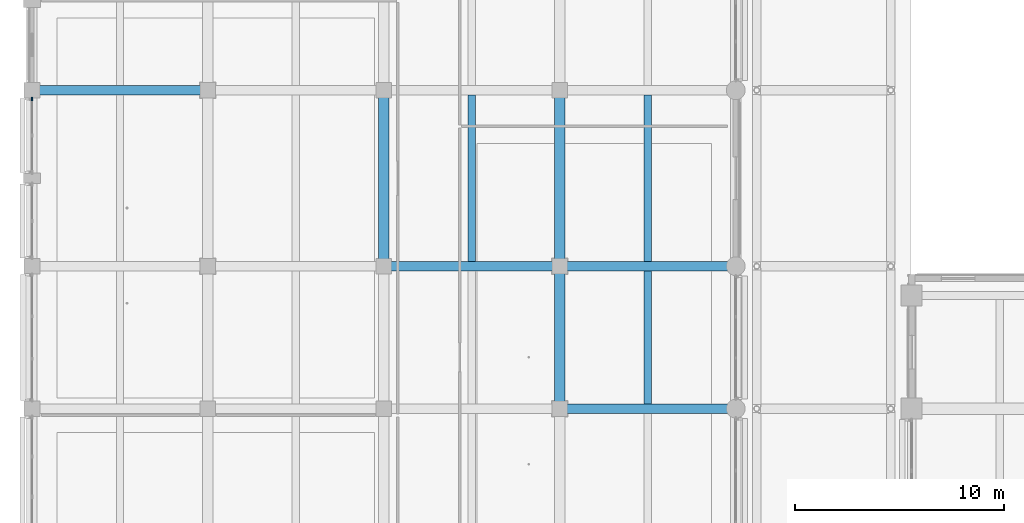
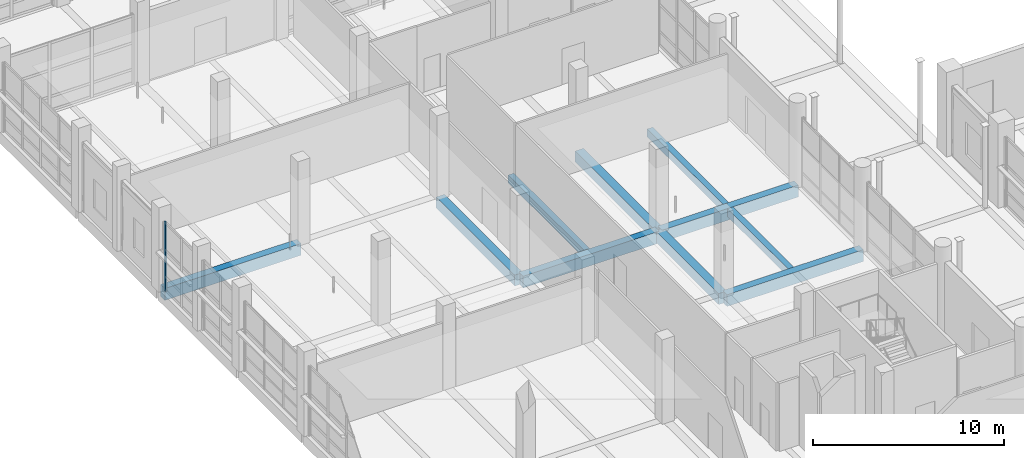
# One storey, part 24 of 140: 10 beams, 1 member, 1 element without a shape of its own.
"""IFC4 building model written with IfcOpenShell, lengths in metres."""

from ifc_helpers import new_model, si_unit, direction, frame, origin, origin_2d, place, context, subcontext, project, spatial, rectangle, extrude, material, layer, layer_set, material_profile, profile_set, type_object, element, aggregate, save


model = new_model("IFC4")

# Units and contexts
model_context = context("Model", 3, precision=1e-05, world=origin(), true_north=direction((0.0, 1.0)))
body_context = subcontext(model_context, "Body", "Model", "MODEL_VIEW")
ifc_project = project(units=[si_unit("LENGTHUNIT", "METRE"), si_unit("AREAUNIT", "SQUARE_METRE"), si_unit("VOLUMEUNIT", "CUBIC_METRE"), si_unit("PLANEANGLEUNIT", "RADIAN"), si_unit("MASSUNIT", "GRAM", prefix="KILO")], contexts=[model_context])

# Site, building, storey
site_placement = place(None, origin())
site = spatial("IfcSite", under=ifc_project, at=site_placement, CompositionType="ELEMENT")
building_placement = place(site_placement, origin())
building = spatial("IfcBuilding", under=site, at=building_placement, Name="Telukmera Botanical Conservatory", CompositionType="ELEMENT")
storey_placement = place(building_placement, origin())
storey = spatial("IfcBuildingStorey", under=building, at=storey_placement, Name="L00", CompositionType="ELEMENT", Elevation=0.0)

# Beams
ifc_material_1 = material(Name="Concrete C40/50", Category="concrete")
ifc_material_profile_1 = material_profile(ifc_material_1, rectangle(XDim=0.5, YDim=0.699951171875, at=origin_2d()), Name="RC 500x700")
ifc_profile_set_1 = profile_set([ifc_material_profile_1], Name="Concrete C40/50")
beam_type_1 = type_object("IfcBeamType", Name="Beam_B14", PredefinedType="BEAM", material=ifc_profile_set_1)
beam_1_placement = place(storey_placement, frame((25.199951171875, 49.679931640625, -0.35009765625), z_axis=(0.0, 1.0, 0.0), x_axis=(-1.0, 0.0, 0.0)))
element("IfcBeam", 1, at=beam_1_placement, inside=storey, type_object=beam_type_1, Name="Visitor Wing Transverse Beam L00", PredefinedType="BEAM", context=body_context, shape_type="SweptSolid", body=[
    extrude(rectangle(XDim=0.5, YDim=0.699951171875, at=origin_2d()), origin(), (0.0, 0.0, 1.0), 8.239990234375),
])
beam_2_placement = place(storey_placement, frame((33.60009765625, 42.8798828125, -0.35009765625), z_axis=(0.0, 1.0, 0.0), x_axis=(-1.0, 0.0, 0.0)))
element("IfcBeam", 2, at=beam_2_placement, inside=storey, type_object=beam_type_1, Name="Visitor Wing Transverse Beam L00", PredefinedType="BEAM", context=body_context, shape_type="SweptSolid", body=[
    extrude(rectangle(XDim=0.5, YDim=0.699951171875, at=origin_2d()), origin(), (0.0, 0.0, 1.0), 6.64013671875),
])
beam_3_placement = place(storey_placement, frame((33.60009765625, 49.679931640625, -0.35009765625), z_axis=(0.0, 1.0, 0.0), x_axis=(-1.0, 0.0, 0.0)))
element("IfcBeam", 3, at=beam_3_placement, inside=storey, type_object=beam_type_1, Name="Visitor Wing Transverse Beam L00", PredefinedType="BEAM", context=body_context, shape_type="SweptSolid", body=[
    extrude(rectangle(XDim=0.5, YDim=0.699951171875, at=origin_2d()), origin(), (0.0, 0.0, 1.0), 8.239990234375),
])
ifc_material_profile_2 = material_profile(ifc_material_1, rectangle(XDim=0.35009765625, YDim=0.5, at=origin_2d()), Name="RC 350x500")
ifc_profile_set_2 = profile_set([ifc_material_profile_2], Name="Concrete C40/50")
beam_type_2 = type_object("IfcBeamType", Name="Beam_B22", PredefinedType="JOIST", material=ifc_profile_set_2)
beam_4_placement = place(storey_placement, frame((29.39990234375, 49.824951171875, -0.25), z_axis=(0.0, 1.0, 0.0), x_axis=(-1.0, 0.0, 0.0)))
element("IfcBeam", 4, at=beam_4_placement, inside=storey, type_object=beam_type_2, Name="Visitor Wing Floor Joist L00", PredefinedType="JOIST", context=body_context, shape_type="SweptSolid", body=[
    extrude(rectangle(XDim=0.35009765625, YDim=0.5, at=origin_2d()), origin(), (0.0, 0.0, 1.0), 7.949951171875),
])
beam_5_placement = place(storey_placement, frame((37.800048828125, 43.02490234375, -0.25), z_axis=(0.0, 1.0, 0.0), x_axis=(-1.0, 0.0, 0.0)))
element("IfcBeam", 5, at=beam_5_placement, inside=storey, type_object=beam_type_2, Name="Visitor Wing Floor Joist L00", PredefinedType="JOIST", context=body_context, shape_type="SweptSolid", body=[
    extrude(rectangle(XDim=0.35009765625, YDim=0.5, at=origin_2d()), origin(), (0.0, 0.0, 1.0), 6.35009765625),
])
beam_6_placement = place(storey_placement, frame((37.800048828125, 49.824951171875, -0.25), z_axis=(0.0, 1.0, 0.0), x_axis=(-1.0, 0.0, 0.0)))
element("IfcBeam", 6, at=beam_6_placement, inside=storey, type_object=beam_type_2, Name="Visitor Wing Floor Joist L00", PredefinedType="JOIST", context=body_context, shape_type="SweptSolid", body=[
    extrude(rectangle(XDim=0.35009765625, YDim=0.5, at=origin_2d()), origin(), (0.0, 0.0, 1.0), 7.949951171875),
])
ifc_material_profile_3 = material_profile(ifc_material_1, rectangle(XDim=0.449951171875, YDim=0.75, at=origin_2d()), Name="RC 450x750")
ifc_profile_set_3 = profile_set([ifc_material_profile_3], Name="Concrete C40/50")
beam_type_3 = type_object("IfcBeamType", Name="Beam_B6", PredefinedType="BEAM", material=ifc_profile_set_3)
for number, where, z_axis, x_axis, name in (
    (7, (33.679931640625, 42.800048828125, -0.375), (1.0, 0.0, 0.0), (0.0, 1.0, 0.0), "Visitor Wing Grid Beam L00"),
    (8, (25.280029296875, 49.60009765625, -0.375), (1.0, 0.0, 0.0), (0.0, 1.0, 0.0), "Visitor Wing Grid Beam L00"),
    (9, (33.679931640625, 49.60009765625, -0.375), (1.0, 0.0, 0.0), (0.0, 1.0, 0.0), "Visitor Wing Grid Beam L00"),
    (10, (8.47998046875, 58.0, -0.375), (1.0, 0.0, 0.0), (0.0, 1.0, 0.0), "Visitor Wing Grid Beam L00"),
):
    element("IfcBeam", number, at=place(storey_placement, frame(where, z_axis=z_axis, x_axis=x_axis)), inside=storey, type_object=beam_type_3, Name=name, PredefinedType="BEAM", context=body_context, shape_type="SweptSolid", body=[
        extrude(rectangle(XDim=0.449951171875, YDim=0.75, at=origin_2d()), origin(), (0.0, 0.0, 1.0), 8.239990234375),
    ])

# Curtain wall, member
ifc_material_2 = material(Name="Anodised aluminium 6063-T6", Category="aluminium")
ifc_layer = layer(ifc_material_2, 0.179931640625)
ifc_layer_set = layer_set([ifc_layer], Name="Anodised aluminium 6063-T6")
curtain_wall_type = type_object("IfcCurtainWallType", Name="Visitor Colonnade Ground Curtain Wall 1800 Mod", PredefinedType="USERDEFINED", material=ifc_layer_set)
curtain_wall_placement = place(storey_placement, origin())
curtain_wall = element("IfcCurtainWall", 11, at=curtain_wall_placement, inside=storey, type_object=curtain_wall_type, Name="Unitised Curtain Wall CW06 V3:L00:W5B", ObjectType="UNITISED CURTAIN WALL", PredefinedType="USERDEFINED")
ifc_material_profile_4 = material_profile(ifc_material_2, rectangle(XDim=0.070068359375, YDim=0.179931640625, at=origin_2d()), Name="ALU MULL 70x180")
ifc_profile_set_4 = profile_set([ifc_material_profile_4], Name="Anodised aluminium 6063-T6")
member_type = type_object("IfcMemberType", Name="Curtain Wall Extruded Mullion 70x180", PredefinedType="MULLION", material=ifc_profile_set_4)
member_placement = place(storey_placement, frame((8.39990234375, 57.587890625, 0.0), z_axis=(0.0, 0.0, 1.0), x_axis=(-1.0, 0.0, 0.0)))
member = element("IfcMember", 12, at=member_placement, type_object=member_type, Name="CW06 mullion 3", PredefinedType="MULLION", context=body_context, shape_type="SweptSolid", body=[
    extrude(rectangle(XDim=0.070068359375, YDim=0.179931640625, at=origin_2d()), origin(), (0.0, 0.0, 1.0), 4.449951171875),
])
aggregate(curtain_wall, [member])

save(model, "model.ifc")
